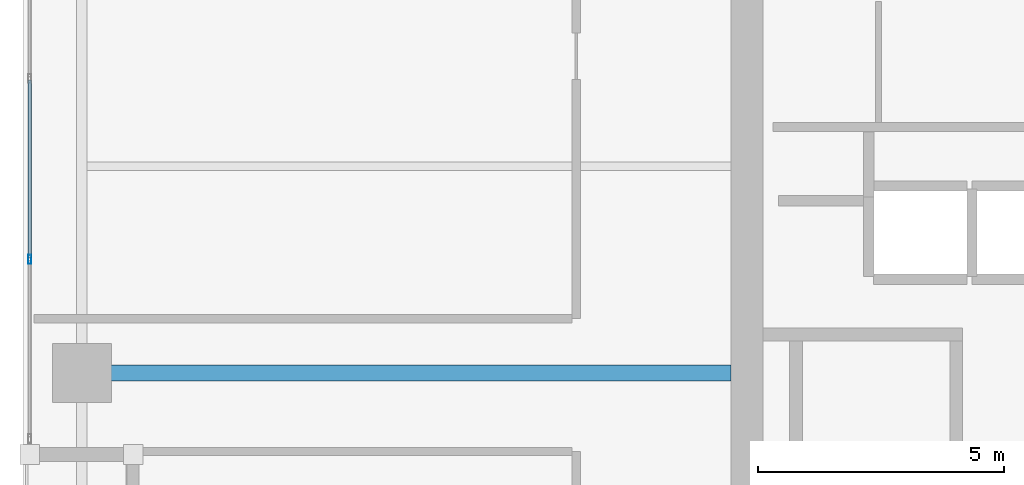
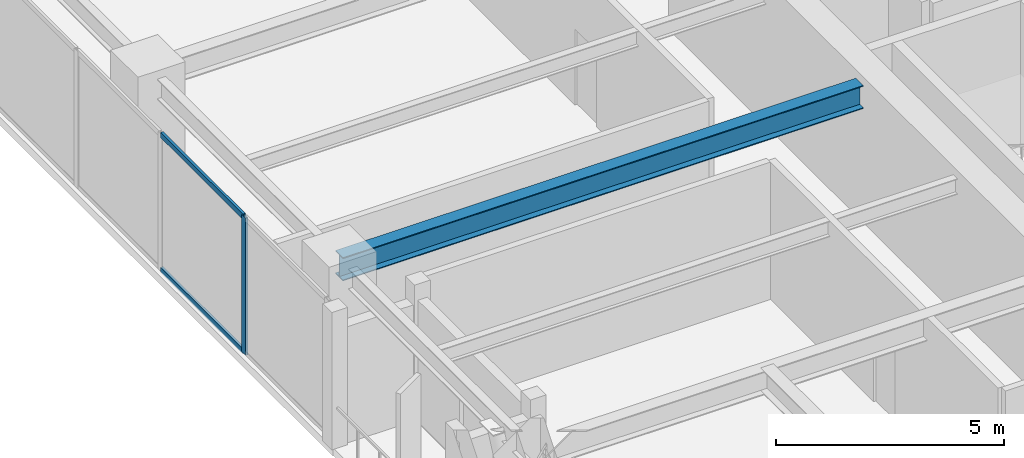
# One storey, part 4 of 30: 3 members, 1 beam, 1 element without a shape of its own.
"""IFC4 building model written with IfcOpenShell, lengths in metres."""

from ifc_helpers import new_model, si_unit, direction, frame, origin, origin_2d, place, context, subcontext, project, spatial, hollow_rectangle, i_section, extrude, material, layer, layer_set, material_profile, profile_set, type_object, element, aggregate, save


model = new_model("IFC4")

# Units and contexts
model_context = context("Model", 3, precision=1e-05, world=origin(), true_north=direction((0.0, 1.0)))
body_context = subcontext(model_context, "Body", "Model", "MODEL_VIEW")
ifc_project = project(units=[si_unit("LENGTHUNIT", "METRE"), si_unit("AREAUNIT", "SQUARE_METRE"), si_unit("VOLUMEUNIT", "CUBIC_METRE"), si_unit("PLANEANGLEUNIT", "RADIAN"), si_unit("MASSUNIT", "GRAM", prefix="KILO")], contexts=[model_context])

# Site, building, storey
site_placement = place(None, origin())
site = spatial("IfcSite", under=ifc_project, at=site_placement, CompositionType="ELEMENT")
building_placement = place(site_placement, origin())
building = spatial("IfcBuilding", under=site, at=building_placement, Name="Kiyonajd Concourse Tower", CompositionType="ELEMENT")
storey_placement = place(building_placement, frame((0.0, 0.0, 190.199951171875)))
storey = spatial("IfcBuildingStorey", under=building, at=storey_placement, Name="L48", CompositionType="ELEMENT", Elevation=190.199951171875)

# Beam
ifc_material_1 = material(Name="Steel ASTM A992 Grade 50", Category="steel")
ifc_material_profile_1 = material_profile(ifc_material_1, i_section(OverallWidth=0.326904296875, OverallDepth=0.6220703125, WebThickness=0.015380859375, FlangeThickness=0.0244140625, at=origin_2d()), Name="W610X195")
ifc_profile_set_1 = profile_set([ifc_material_profile_1], Name="Steel ASTM A992 Grade 50")
beam_type = type_object("IfcBeamType", Name="BM-TWR-610A", PredefinedType="BEAM", material=ifc_profile_set_1)
beam_placement = place(storey_placement, frame((19.199951171875, 36.0, 3.369140625), z_axis=(1.0, 0.0, 0.0), x_axis=(0.0, 1.0, 0.0)))
element("IfcBeam", 1, at=beam_placement, inside=storey, type_object=beam_type, Name="L48 West Lease Girder", PredefinedType="BEAM", context=body_context, shape_type="SweptSolid", body=[
    extrude(i_section(OverallWidth=0.326904296875, OverallDepth=0.6220703125, WebThickness=0.015380859375, FlangeThickness=0.0244140625, at=origin_2d()), origin(), (0.0, 0.0, 1.0), 13.199951171875),
])

# Curtain wall, members
ifc_material_2 = material(Name="Thermally Broken Anodised Aluminium", Category="aluminium")
ifc_layer = layer(ifc_material_2, 0.179931640625)
ifc_layer_set = layer_set([ifc_layer], Name="Thermally Broken Anodised Aluminium")
curtain_wall_type = type_object("IfcCurtainWallType", Name="CW-SYS-03", PredefinedType="NOTDEFINED", material=ifc_layer_set)
curtain_wall_placement = place(storey_placement, origin())
curtain_wall = element("IfcCurtainWall", 2, at=curtain_wall_placement, inside=storey, type_object=curtain_wall_type, Name="L48 Unitised Curtain Wall CW3", PredefinedType="NOTDEFINED")
ifc_material_profile_2 = material_profile(ifc_material_2, hollow_rectangle(XDim=0.06494140625, YDim=0.179931640625, WallThickness=0.00390625, at=origin_2d()), Name="MULL-65x180")
ifc_profile_set_2 = profile_set([ifc_material_profile_2], Name="Thermally Broken Anodised Aluminium")
member_type_1 = type_object("IfcMemberType", Name="MB-CW-MULL1", PredefinedType="MULLION", material=ifc_profile_set_2)
member_1_placement = place(storey_placement, frame((18.139892578125, 38.306884765625, 0.0), z_axis=(0.0, 0.0, 1.0), x_axis=(-1.0, 0.0, 0.0)))
member_1 = element("IfcMember", 3, at=member_1_placement, type_object=member_type_1, Name="CW3 mullion 2", PredefinedType="MULLION", context=body_context, shape_type="SweptSolid", body=[
    extrude(hollow_rectangle(XDim=0.06494140625, YDim=0.179931640625, WallThickness=0.00390625, at=origin_2d()), origin(), (0.0, 0.0, 1.0), 3.679931640625),
])
ifc_material_profile_3 = material_profile(ifc_material_2, hollow_rectangle(XDim=0.06494140625, YDim=0.139892578125, WallThickness=0.00390625, at=origin_2d()), Name="TRAN-65x140")
ifc_profile_set_3 = profile_set([ifc_material_profile_3], Name="Thermally Broken Anodised Aluminium")
member_type_2 = type_object("IfcMemberType", Name="MB-CW-TRAN1", PredefinedType="USERDEFINED", material=ifc_profile_set_3)
member_2_placement = place(storey_placement, frame((18.139892578125, 38.33935546875, 0.032470703125), z_axis=(0.0, 1.0, 0.0), x_axis=(-1.0, 0.0, 0.0)))
member_2 = element("IfcMember", 4, at=member_2_placement, type_object=member_type_2, Name="CW3 transom 2.1", ObjectType="TRANSOM", PredefinedType="USERDEFINED", context=body_context, shape_type="SweptSolid", body=[
    extrude(hollow_rectangle(XDim=0.06494140625, YDim=0.139892578125, WallThickness=0.00390625, at=origin_2d()), origin(), (0.0, 0.0, 1.0), 3.612060546875),
])
member_3_placement = place(storey_placement, frame((18.139892578125, 38.33935546875, 3.6474609375), z_axis=(0.0, 1.0, 0.0), x_axis=(-1.0, 0.0, 0.0)))
member_3 = element("IfcMember", 5, at=member_3_placement, type_object=member_type_2, Name="CW3 transom 2.2", ObjectType="TRANSOM", PredefinedType="USERDEFINED", context=body_context, shape_type="SweptSolid", body=[
    extrude(hollow_rectangle(XDim=0.06494140625, YDim=0.139892578125, WallThickness=0.00390625, at=origin_2d()), origin(), (0.0, 0.0, 1.0), 3.612060546875),
])
aggregate(curtain_wall, [member_1, member_2, member_3])

save(model, "model.ifc")
